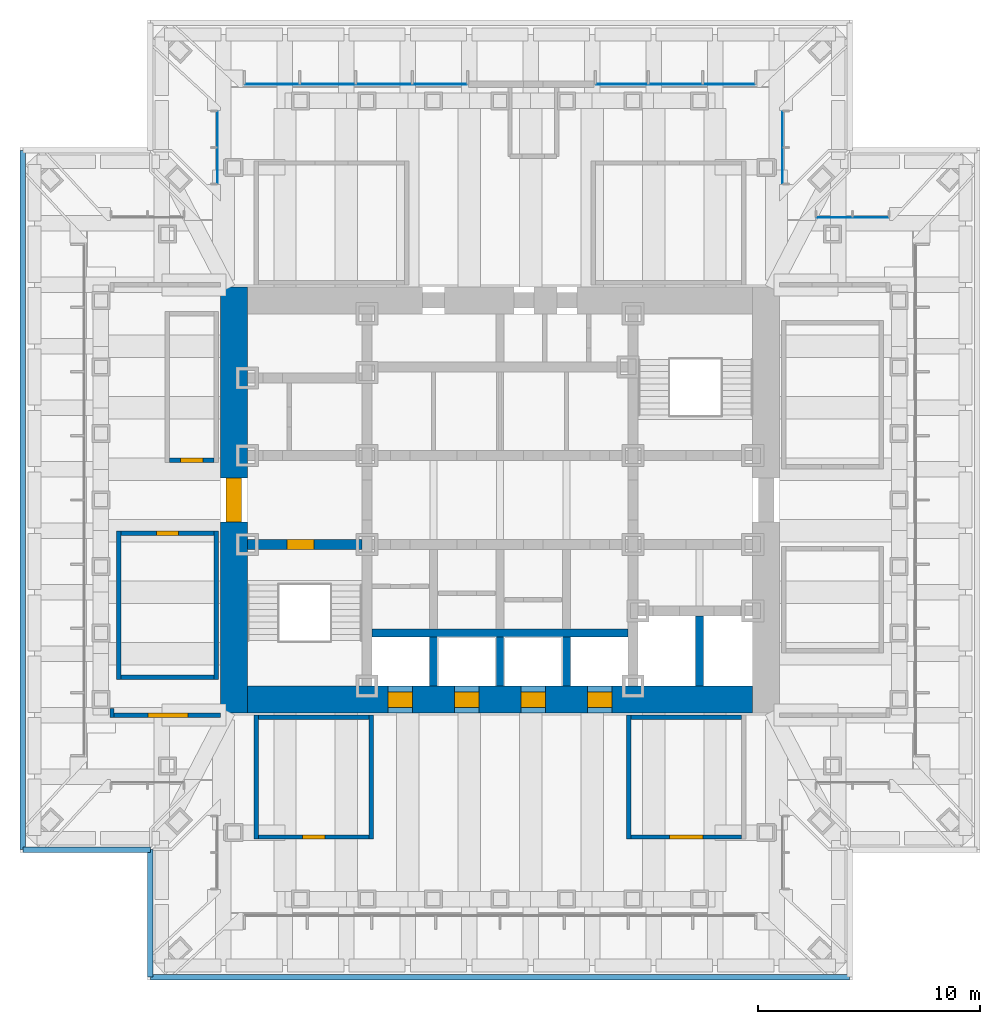
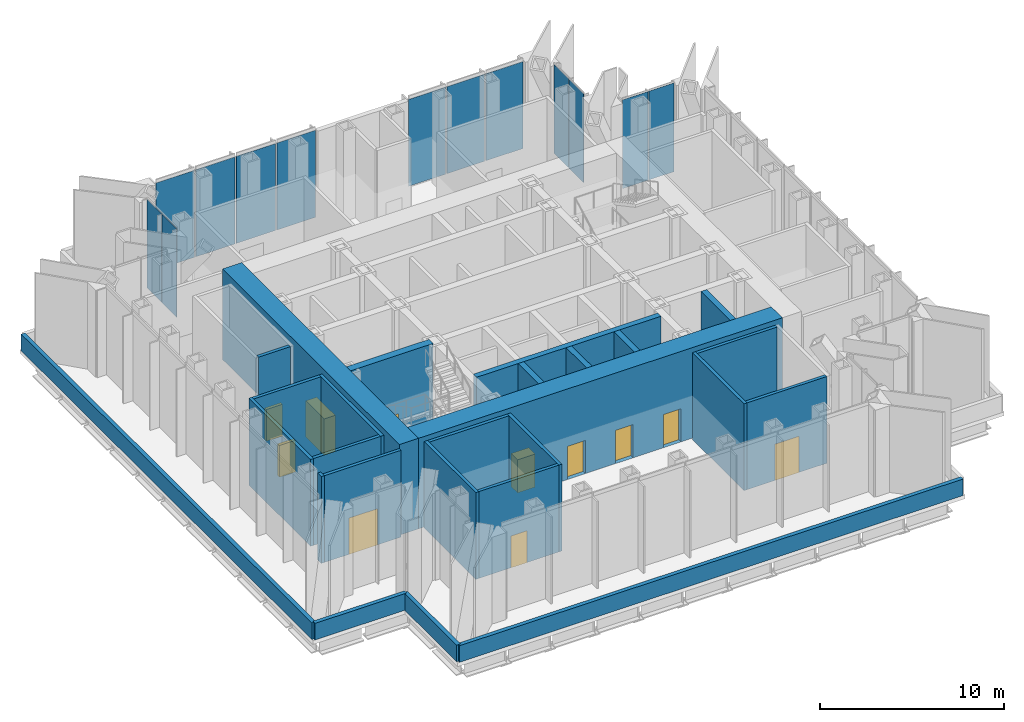
# One storey, part 8 of 13: 26 walls, 13 plates, 11 doors, 11 openings, 5 elements without a shape of their own.
"""IFC4 building model written with IfcOpenShell, lengths in metres."""

from ifc_helpers import new_model, si_unit, direction, frame, frame_2d, origin, origin_2d, place, context, subcontext, project, spatial, rectangle, extrude, material, layer, layer_set, type_object, element, fill, aggregate, save


model = new_model("IFC4")

# Units and contexts
model_context = context("Model", 3, precision=1e-05, world=origin(), true_north=direction((0.0, 1.0)))
body_context = subcontext(model_context, "Body", "Model", "MODEL_VIEW")
ifc_project = project(units=[si_unit("LENGTHUNIT", "METRE"), si_unit("AREAUNIT", "SQUARE_METRE"), si_unit("VOLUMEUNIT", "CUBIC_METRE"), si_unit("PLANEANGLEUNIT", "RADIAN"), si_unit("MASSUNIT", "GRAM", prefix="KILO")], contexts=[model_context])

# Site, building, storey
site_placement = place(None, origin())
site = spatial("IfcSite", under=ifc_project, at=site_placement, CompositionType="ELEMENT")
building_placement = place(site_placement, origin())
building = spatial("IfcBuilding", under=site, at=building_placement, Name="Daluyong Arena Tower", CompositionType="ELEMENT")
storey_placement = place(building_placement, frame((0.0, 0.0, 279.699951171875)))
storey = spatial("IfcBuildingStorey", under=building, at=storey_placement, Name="L63", CompositionType="ELEMENT", Elevation=279.699951171875)

# Curtain wall, plates
ifc_material_1 = material(Name="Bronze anodised aluminium and glass", Category="aluminium")
curtain_wall_type_1 = type_object("IfcCurtainWallType", Name="Curtain wall CW5", PredefinedType="USERDEFINED", material=ifc_material_1)
curtain_wall_1_placement = place(storey_placement, origin())
curtain_wall_1 = element("IfcCurtainWall", 1, at=curtain_wall_1_placement, inside=storey, type_object=curtain_wall_type_1, Name="curtain wall L63 N part 1", ObjectType="UNITISED CURTAIN WALL", PredefinedType="USERDEFINED")
ifc_material_2 = material(Name="Clear laminated double glazed unit", Category="glass")
ifc_layer_1 = layer(ifc_material_2, 0.0400390625)
ifc_layer_set_1 = layer_set([ifc_layer_1], Name="Clear laminated double glazed unit")
plate_type_1 = type_object("IfcPlateType", Name="CW5 panel 40", PredefinedType="CURTAIN_PANEL", material=ifc_layer_set_1)
plate_1_placement = place(storey_placement, frame((66.34033203125, 98.75, 0.0), z_axis=(0.0, 0.0, 1.0), x_axis=(-1.0, 0.0, 0.0)))
plate_1 = element("IfcPlate", 2, at=plate_1_placement, type_object=plate_type_1, Name="curtain wall L63 N part 1 panel 1", PredefinedType="CURTAIN_PANEL", context=body_context, shape_type="SweptSolid", body=[
    extrude(rectangle(XDim=2.31005859375, YDim=0.0400390625, at=origin_2d()), origin(), (0.0, 0.0, 1.0), 5.760009765625),
])
plate_2_placement = place(storey_placement, frame((63.917724609375, 98.75, 0.0), z_axis=(0.0, 0.0, 1.0), x_axis=(-1.0, 0.0, 0.0)))
plate_2 = element("IfcPlate", 3, at=plate_2_placement, type_object=plate_type_1, Name="curtain wall L63 N part 1 panel 2", PredefinedType="CURTAIN_PANEL", context=body_context, shape_type="SweptSolid", body=[
    extrude(rectangle(XDim=2.355224609375, YDim=0.0400390625, at=origin_2d()), origin(), (0.0, 0.0, 1.0), 5.760009765625),
])
plate_3_placement = place(storey_placement, frame((61.4951171875, 98.75, 0.0), z_axis=(0.0, 0.0, 1.0), x_axis=(-1.0, 0.0, 0.0)))
plate_3 = element("IfcPlate", 4, at=plate_3_placement, type_object=plate_type_1, Name="curtain wall L63 N part 1 panel 3", PredefinedType="CURTAIN_PANEL", context=body_context, shape_type="SweptSolid", body=[
    extrude(rectangle(XDim=2.31005859375, YDim=0.0400390625, at=origin_2d()), origin(), (0.0, 0.0, 1.0), 5.760009765625),
])
aggregate(curtain_wall_1, [plate_1, plate_2, plate_3])

curtain_wall_2_placement = place(storey_placement, origin())
curtain_wall_2 = element("IfcCurtainWall", 5, at=curtain_wall_2_placement, inside=storey, type_object=curtain_wall_type_1, Name="curtain wall L63 N part 2", ObjectType="UNITISED CURTAIN WALL", PredefinedType="USERDEFINED")
plate_4_placement = place(storey_placement, frame((53.289794921875, 98.75, 0.0), z_axis=(0.0, 0.0, 1.0), x_axis=(-1.0, 0.0, 0.0)))
plate_4 = element("IfcPlate", 6, at=plate_4_placement, type_object=plate_type_1, Name="curtain wall L63 N part 2 panel 1", PredefinedType="CURTAIN_PANEL", context=body_context, shape_type="SweptSolid", body=[
    extrude(rectangle(XDim=2.4072265625, YDim=0.0400390625, at=origin_2d()), origin(), (0.0, 0.0, 1.0), 5.760009765625),
])
plate_5_placement = place(storey_placement, frame((50.77001953125, 98.75, 0.0), z_axis=(0.0, 0.0, 1.0), x_axis=(-1.0, 0.0, 0.0)))
plate_5 = element("IfcPlate", 7, at=plate_5_placement, type_object=plate_type_1, Name="curtain wall L63 N part 2 panel 2", PredefinedType="CURTAIN_PANEL", context=body_context, shape_type="SweptSolid", body=[
    extrude(rectangle(XDim=2.4521484375, YDim=0.0400390625, at=origin_2d()), origin(), (0.0, 0.0, 1.0), 5.760009765625),
])
plate_6_placement = place(storey_placement, frame((48.227783203125, 98.75, 0.0), z_axis=(0.0, 0.0, 1.0), x_axis=(-1.0, 0.0, 0.0)))
plate_6 = element("IfcPlate", 8, at=plate_6_placement, type_object=plate_type_1, Name="curtain wall L63 N part 2 panel 3", PredefinedType="CURTAIN_PANEL", context=body_context, shape_type="SweptSolid", body=[
    extrude(rectangle(XDim=2.4521484375, YDim=0.0400390625, at=origin_2d()), origin(), (0.0, 0.0, 1.0), 5.760009765625),
])
plate_7_placement = place(storey_placement, frame((45.7080078125, 98.75, 0.0), z_axis=(0.0, 0.0, 1.0), x_axis=(-1.0, 0.0, 0.0)))
plate_7 = element("IfcPlate", 9, at=plate_7_placement, type_object=plate_type_1, Name="curtain wall L63 N part 2 panel 4", PredefinedType="CURTAIN_PANEL", context=body_context, shape_type="SweptSolid", body=[
    extrude(rectangle(XDim=2.4072265625, YDim=0.0400390625, at=origin_2d()), origin(), (0.0, 0.0, 1.0), 5.760009765625),
])
aggregate(curtain_wall_2, [plate_4, plate_5, plate_6, plate_7])

ifc_material_3 = material(Name="Bronze anodised aluminium and glass", Category="aluminium")
curtain_wall_type_2 = type_object("IfcCurtainWallType", Name="Curtain wall CW7", PredefinedType="USERDEFINED", material=ifc_material_3)
curtain_wall_3_placement = place(storey_placement, origin())
curtain_wall_3 = element("IfcCurtainWall", 10, at=curtain_wall_3_placement, inside=storey, type_object=curtain_wall_type_2, Name="curtain wall L63 NE-N", ObjectType="UNITISED CURTAIN WALL", PredefinedType="USERDEFINED")
ifc_material_4 = material(Name="Tinted double glazed unit", Category="glass")
ifc_layer_2 = layer(ifc_material_4, 0.028076171875)
ifc_layer_set_2 = layer_set([ifc_layer_2], Name="Tinted double glazed unit")
plate_type_2 = type_object("IfcPlateType", Name="CW7 panel 28", PredefinedType="CURTAIN_PANEL", material=ifc_layer_set_2)
plate_8_placement = place(storey_placement, frame((72.718505859375, 92.75, 0.0), z_axis=(0.0, 0.0, 1.0), x_axis=(-1.0, 0.0, 0.0)))
plate_8 = element("IfcPlate", 11, at=plate_8_placement, type_object=plate_type_2, Name="curtain wall L63 NE-N panel 1", PredefinedType="CURTAIN_PANEL", context=body_context, shape_type="SweptSolid", body=[
    extrude(rectangle(XDim=1.584228515625, YDim=0.028076171875, at=origin_2d()), origin(), (0.0, 0.0, 1.0), 5.8798828125),
])
plate_9_placement = place(storey_placement, frame((71.07421875, 92.75, 0.0), z_axis=(0.0, 0.0, 1.0), x_axis=(-1.0, 0.0, 0.0)))
plate_9 = element("IfcPlate", 12, at=plate_9_placement, type_object=plate_type_2, Name="curtain wall L63 NE-N panel 2", PredefinedType="CURTAIN_PANEL", context=body_context, shape_type="SweptSolid", body=[
    extrude(rectangle(XDim=1.584228515625, YDim=0.028076171875, at=origin_2d()), origin(), (0.0, 0.0, 1.0), 5.8798828125),
])
aggregate(curtain_wall_3, [plate_8, plate_9])

curtain_wall_4_placement = place(storey_placement, origin())
curtain_wall_4 = element("IfcCurtainWall", 13, at=curtain_wall_4_placement, inside=storey, type_object=curtain_wall_type_2, Name="curtain wall L63 NE-E", ObjectType="UNITISED CURTAIN WALL", PredefinedType="USERDEFINED")
plate_10_placement = place(storey_placement, frame((68.75, 95.07421875, 0.0), z_axis=(0.0, 0.0, 1.0), x_axis=(0.0, 1.0, 0.0)))
plate_10 = element("IfcPlate", 14, at=plate_10_placement, type_object=plate_type_2, Name="curtain wall L63 NE-E panel 1", PredefinedType="CURTAIN_PANEL", context=body_context, shape_type="SweptSolid", body=[
    extrude(rectangle(XDim=1.584228515625, YDim=0.028076171875, at=origin_2d()), origin(), (0.0, 0.0, 1.0), 5.8798828125),
])
plate_11_placement = place(storey_placement, frame((68.75, 96.718505859375, 0.0), z_axis=(0.0, 0.0, 1.0), x_axis=(0.0, 1.0, 0.0)))
plate_11 = element("IfcPlate", 15, at=plate_11_placement, type_object=plate_type_2, Name="curtain wall L63 NE-E panel 2", PredefinedType="CURTAIN_PANEL", context=body_context, shape_type="SweptSolid", body=[
    extrude(rectangle(XDim=1.584228515625, YDim=0.028076171875, at=origin_2d()), origin(), (0.0, 0.0, 1.0), 5.8798828125),
])
aggregate(curtain_wall_4, [plate_10, plate_11])

curtain_wall_5_placement = place(storey_placement, origin())
curtain_wall_5 = element("IfcCurtainWall", 16, at=curtain_wall_5_placement, inside=storey, type_object=curtain_wall_type_2, Name="curtain wall L63 NW-W", ObjectType="UNITISED CURTAIN WALL", PredefinedType="USERDEFINED")
plate_12_placement = place(storey_placement, frame((43.25, 96.718505859375, 0.0), z_axis=(0.0, 0.0, 1.0), x_axis=(0.0, -1.0, 0.0)))
plate_12 = element("IfcPlate", 17, at=plate_12_placement, type_object=plate_type_2, Name="curtain wall L63 NW-W panel 1", PredefinedType="CURTAIN_PANEL", context=body_context, shape_type="SweptSolid", body=[
    extrude(rectangle(XDim=1.584228515625, YDim=0.028076171875, at=origin_2d()), origin(), (0.0, 0.0, 1.0), 5.8798828125),
])
plate_13_placement = place(storey_placement, frame((43.25, 95.07421875, 0.0), z_axis=(0.0, 0.0, 1.0), x_axis=(0.0, -1.0, 0.0)))
plate_13 = element("IfcPlate", 18, at=plate_13_placement, type_object=plate_type_2, Name="curtain wall L63 NW-W panel 2", PredefinedType="CURTAIN_PANEL", context=body_context, shape_type="SweptSolid", body=[
    extrude(rectangle(XDim=1.584228515625, YDim=0.028076171875, at=origin_2d()), origin(), (0.0, 0.0, 1.0), 5.8798828125),
])
aggregate(curtain_wall_5, [plate_12, plate_13])

# Wall, opening, door
ifc_material_5 = material(Name="Concrete fc' 45 MPa", Category="concrete")
ifc_layer_3 = layer(ifc_material_5, 0.449951171875)
ifc_layer_set_3 = layer_set([ifc_layer_3], Name="Concrete fc' 45 MPa")
wall_type_1 = type_object("IfcWallType", Name="Core inner wall 450", PredefinedType="SHEAR", material=ifc_layer_set_3)
wall_1_placement = place(storey_placement, frame((44.60009765625, 78.0, 0.0), z_axis=(0.0, 0.0, 1.0), x_axis=(1.0, 0.0, 0.0)))
wall_1 = element("IfcWall", 19, at=wall_1_placement, inside=storey, type_object=wall_type_1, Name="core inner wall at L63", PredefinedType="SHEAR", context=body_context, shape_type="SweptSolid", body=[
    extrude(rectangle(XDim=5.1748046875, YDim=0.449951171875, at=frame_2d((2.58740234375, 0.0))), origin(), (0.0, 0.0, 1.0), 6.0),
])
opening_1_placement = place(wall_1_placement, frame((1.800048828125, 0.0, 0.0)))
opening_1 = element("IfcOpeningElement", 20, at=opening_1_placement, cuts=wall_1, Name="Opening 63019", PredefinedType="OPENING", context=body_context, shape_type="SweptSolid", body=[
    extrude(rectangle(XDim=1.199951171875, YDim=2.10009765625, at=frame_2d((0.60009765625, 1.050048828125))), frame((0.0, 0.23486328125, 0.0), z_axis=(0.0, -1.0, 0.0), x_axis=(1.0, 0.0, 0.0)), (0.0, 0.0, 1.0), 0.469970703125),
])
ifc_material_6 = material(Name="Steel door, fire rated", Category="steel")
door_type_1 = type_object("IfcDoorType", Name="Stair door 1200", OperationType="SINGLE_SWING_LEFT", PredefinedType="DOOR", material=ifc_material_6)
door_1_placement = place(opening_1_placement, origin())
door_1 = element("IfcDoor", 21, at=door_1_placement, inside=storey, type_object=door_type_1, Name="stair A door 63019", OperationType="SINGLE_SWING_LEFT", OverallHeight=2.10009765625, OverallWidth=1.199951171875, PredefinedType="DOOR", context=body_context, shape_type="SweptSolid", body=[
    extrude(rectangle(XDim=1.199951171875, YDim=2.10009765625, at=frame_2d((0.60009765625, 1.050048828125))), frame((0.0, 0.224609375, 0.0), z_axis=(0.0, -1.0, 0.0), x_axis=(1.0, 0.0, 0.0)), (0.0, 0.0, 1.0), 0.449462890625),
])
fill(opening_1, door_1)

ifc_material_7 = material(Name="Concrete fc' 60 MPa", Category="concrete")
ifc_layer_4 = layer(ifc_material_7, 1.199951171875)
ifc_layer_set_4 = layer_set([ifc_layer_4], Name="Concrete fc' 60 MPa")
wall_type_2 = type_object("IfcWallType", Name="Core wall 1200", PredefinedType="SHEAR", material=ifc_layer_set_4)
wall_2_placement = place(storey_placement, frame((44.0, 70.39990234375, 0.0), z_axis=(0.0, 0.0, 1.0), x_axis=(0.0, 1.0, 0.0)))
wall_2 = element("IfcWall", 22, at=wall_2_placement, inside=storey, type_object=wall_type_2, Name="core wall at L63", PredefinedType="SHEAR", context=body_context, shape_type="SweptSolid", body=[
    extrude(rectangle(XDim=19.2001953125, YDim=1.199951171875, at=frame_2d((9.60009765625, 0.0))), origin(), (0.0, 0.0, 1.0), 6.0),
])
opening_2_placement = place(wall_2_placement, frame((8.60009765625, 0.0, 0.0)))
opening_2 = element("IfcOpeningElement", 23, at=opening_2_placement, cuts=wall_2, Name="Opening 63021", PredefinedType="OPENING", context=body_context, shape_type="SweptSolid", body=[
    extrude(rectangle(XDim=2.0, YDim=2.39990234375, at=frame_2d((1.0, 1.199951171875))), frame((0.0, 0.60986328125, 0.0), z_axis=(0.0, -1.0, 0.0), x_axis=(1.0, 0.0, 0.0)), (0.0, 0.0, 1.0), 1.219970703125),
])
ifc_material_8 = material(Name="Steel door, fire rated", Category="steel")
door_type_2 = type_object("IfcDoorType", Name="Core lobby double door 2000", OperationType="DOUBLE_DOOR_SINGLE_SWING", PredefinedType="DOOR", material=ifc_material_8)
door_2_placement = place(opening_2_placement, origin())
door_2 = element("IfcDoor", 24, at=door_2_placement, inside=storey, type_object=door_type_2, Name="core lobby door west 63021", OperationType="DOUBLE_DOOR_SINGLE_SWING", OverallHeight=2.39990234375, OverallWidth=2.0, PredefinedType="DOOR", context=body_context, shape_type="SweptSolid", body=[
    extrude(rectangle(XDim=2.0, YDim=2.39990234375, at=frame_2d((1.0, 1.199951171875))), frame((0.0, 0.35009765625, 0.0), z_axis=(0.0, -1.0, 0.0), x_axis=(1.0, 0.0, 0.0)), (0.0, 0.0, 1.0), 0.699951171875),
])
fill(opening_2, door_2)

# Wall, openings, doors
wall_3_placement = place(storey_placement, frame((44.60009765625, 71.0, 0.0), z_axis=(0.0, 0.0, 1.0), x_axis=(1.0, 0.0, 0.0)))
wall_3 = element("IfcWall", 25, at=wall_3_placement, inside=storey, type_object=wall_type_2, Name="core wall at L63", PredefinedType="SHEAR", context=body_context, shape_type="SweptSolid", body=[
    extrude(rectangle(XDim=22.7998046875, YDim=1.199951171875, at=frame_2d((11.39990234375, 0.0))), origin(), (0.0, 0.0, 1.0), 6.0),
])
opening_3_placement = place(wall_3_placement, frame((6.35009765625, 0.0, 0.0)))
opening_3 = element("IfcOpeningElement", 26, at=opening_3_placement, cuts=wall_3, Name="Opening 63026", PredefinedType="OPENING", context=body_context, shape_type="SweptSolid", body=[
    extrude(rectangle(XDim=1.10009765625, YDim=2.199951171875, at=frame_2d((0.550048828125, 1.10009765625))), frame((0.0, 0.60986328125, 0.0), z_axis=(0.0, -1.0, 0.0), x_axis=(1.0, 0.0, 0.0)), (0.0, 0.0, 1.0), 1.219970703125),
])
opening_4_placement = place(wall_3_placement, frame((9.35009765625, 0.0, 0.0)))
opening_4 = element("IfcOpeningElement", 27, at=opening_4_placement, cuts=wall_3, Name="Opening 63027", PredefinedType="OPENING", context=body_context, shape_type="SweptSolid", body=[
    extrude(rectangle(XDim=1.10009765625, YDim=2.199951171875, at=frame_2d((0.550048828125, 1.10009765625))), frame((0.0, 0.60986328125, 0.0), z_axis=(0.0, -1.0, 0.0), x_axis=(1.0, 0.0, 0.0)), (0.0, 0.0, 1.0), 1.219970703125),
])
opening_5_placement = place(wall_3_placement, frame((12.35009765625, 0.0, 0.0)))
opening_5 = element("IfcOpeningElement", 28, at=opening_5_placement, cuts=wall_3, Name="Opening 63028", PredefinedType="OPENING", context=body_context, shape_type="SweptSolid", body=[
    extrude(rectangle(XDim=1.10009765625, YDim=2.199951171875, at=frame_2d((0.550048828125, 1.10009765625))), frame((0.0, 0.60986328125, 0.0), z_axis=(0.0, -1.0, 0.0), x_axis=(1.0, 0.0, 0.0)), (0.0, 0.0, 1.0), 1.219970703125),
])
opening_6_placement = place(wall_3_placement, frame((15.35009765625, 0.0, 0.0)))
opening_6 = element("IfcOpeningElement", 29, at=opening_6_placement, cuts=wall_3, Name="Opening 63029", PredefinedType="OPENING", context=body_context, shape_type="SweptSolid", body=[
    extrude(rectangle(XDim=1.10009765625, YDim=2.199951171875, at=frame_2d((0.550048828125, 1.10009765625))), frame((0.0, 0.60986328125, 0.0), z_axis=(0.0, -1.0, 0.0), x_axis=(1.0, 0.0, 0.0)), (0.0, 0.0, 1.0), 1.219970703125),
])
ifc_material_9 = material(Name="Steel door, fire rated", Category="steel")
door_type_3 = type_object("IfcDoorType", Name="Lift landing door 1100", OperationType="SLIDING_TO_LEFT", PredefinedType="DOOR", material=ifc_material_9)
door_3_placement = place(opening_3_placement, origin())
door_3 = element("IfcDoor", 30, at=door_3_placement, inside=storey, type_object=door_type_3, Name="lift landing door C1 63026", OperationType="SLIDING_TO_LEFT", OverallHeight=2.199951171875, OverallWidth=1.10009765625, PredefinedType="DOOR", context=body_context, shape_type="SweptSolid", body=[
    extrude(rectangle(XDim=1.10009765625, YDim=2.199951171875, at=frame_2d((0.550048828125, 1.10009765625))), frame((0.0, 0.35009765625, 0.0), z_axis=(0.0, -1.0, 0.0), x_axis=(1.0, 0.0, 0.0)), (0.0, 0.0, 1.0), 0.699951171875),
])
fill(opening_3, door_3)
door_4_placement = place(opening_4_placement, origin())
door_4 = element("IfcDoor", 31, at=door_4_placement, inside=storey, type_object=door_type_3, Name="lift landing door C2 63027", OperationType="SLIDING_TO_LEFT", OverallHeight=2.199951171875, OverallWidth=1.10009765625, PredefinedType="DOOR", context=body_context, shape_type="SweptSolid", body=[
    extrude(rectangle(XDim=1.10009765625, YDim=2.199951171875, at=frame_2d((0.550048828125, 1.10009765625))), frame((0.0, 0.35009765625, 0.0), z_axis=(0.0, -1.0, 0.0), x_axis=(1.0, 0.0, 0.0)), (0.0, 0.0, 1.0), 0.699951171875),
])
fill(opening_4, door_4)
door_5_placement = place(opening_5_placement, origin())
door_5 = element("IfcDoor", 32, at=door_5_placement, inside=storey, type_object=door_type_3, Name="lift landing door C3 63028", OperationType="SLIDING_TO_LEFT", OverallHeight=2.199951171875, OverallWidth=1.10009765625, PredefinedType="DOOR", context=body_context, shape_type="SweptSolid", body=[
    extrude(rectangle(XDim=1.10009765625, YDim=2.199951171875, at=frame_2d((0.550048828125, 1.10009765625))), frame((0.0, 0.35009765625, 0.0), z_axis=(0.0, -1.0, 0.0), x_axis=(1.0, 0.0, 0.0)), (0.0, 0.0, 1.0), 0.699951171875),
])
fill(opening_5, door_5)
door_6_placement = place(opening_6_placement, origin())
door_6 = element("IfcDoor", 33, at=door_6_placement, inside=storey, type_object=door_type_3, Name="lift landing door C4 63029", OperationType="SLIDING_TO_LEFT", OverallHeight=2.199951171875, OverallWidth=1.10009765625, PredefinedType="DOOR", context=body_context, shape_type="SweptSolid", body=[
    extrude(rectangle(XDim=1.10009765625, YDim=2.199951171875, at=frame_2d((0.550048828125, 1.10009765625))), frame((0.0, 0.35009765625, 0.0), z_axis=(0.0, -1.0, 0.0), x_axis=(1.0, 0.0, 0.0)), (0.0, 0.0, 1.0), 0.699951171875),
])
fill(opening_6, door_6)

# Wall
ifc_material_10 = material(Name="Concrete block partition, fire rated", Category="concrete")
ifc_layer_5 = layer(ifc_material_10, 0.199951171875)
ifc_layer_set_5 = layer_set([ifc_layer_5], Name="Concrete block partition, fire rated")
wall_type_3 = type_object("IfcWallType", Name="Fire-rated partition 200", PredefinedType="PARTITIONING", material=ifc_layer_set_5)
wall_4_placement = place(storey_placement, frame((61.800048828125, 64.699951171875, 0.0), z_axis=(0.0, 0.0, 1.0), x_axis=(0.0, 1.0, 0.0)))
element("IfcWall", 34, at=wall_4_placement, inside=storey, type_object=wall_type_3, Name="plant room partition at L63", PredefinedType="PARTITIONING", context=body_context, shape_type="SweptSolid", body=[
    extrude(rectangle(XDim=5.60009765625, YDim=0.199951171875, at=frame_2d((2.800048828125, 0.0))), origin(), (0.0, 0.0, 1.0), 5.75),
])

# Wall, opening, door
wall_5_placement = place(storey_placement, frame((61.89990234375, 64.800048828125, 0.0), z_axis=(0.0, 0.0, 1.0), x_axis=(1.0, 0.0, 0.0)))
wall_5 = element("IfcWall", 35, at=wall_5_placement, inside=storey, type_object=wall_type_3, Name="plant room partition at L63", PredefinedType="PARTITIONING", context=body_context, shape_type="SweptSolid", body=[
    extrude(rectangle(XDim=5.0, YDim=0.199951171875, at=frame_2d((2.5, 0.0))), origin(), (0.0, 0.0, 1.0), 5.75),
])
opening_7_placement = place(wall_5_placement, frame((1.75, 0.0, 0.0)))
opening_7 = element("IfcOpeningElement", 36, at=opening_7_placement, cuts=wall_5, Name="Opening 63037", PredefinedType="OPENING", context=body_context, shape_type="SweptSolid", body=[
    extrude(rectangle(XDim=1.5, YDim=2.39990234375, at=frame_2d((0.75, 1.199951171875))), frame((0.0, 0.10986328125, 0.0), z_axis=(0.0, -1.0, 0.0), x_axis=(1.0, 0.0, 0.0)), (0.0, 0.0, 1.0), 0.219970703125),
])
ifc_material_11 = material(Name="Steel door, fire rated", Category="steel")
door_type_4 = type_object("IfcDoorType", Name="Plant room door 1500", OperationType="DOUBLE_DOOR_SINGLE_SWING", PredefinedType="DOOR", material=ifc_material_11)
door_7_placement = place(opening_7_placement, origin())
door_7 = element("IfcDoor", 37, at=door_7_placement, inside=storey, type_object=door_type_4, Name="plant room door 63037", OperationType="DOUBLE_DOOR_SINGLE_SWING", OverallHeight=2.39990234375, OverallWidth=1.5, PredefinedType="DOOR", context=body_context, shape_type="SweptSolid", body=[
    extrude(rectangle(XDim=1.5, YDim=2.39990234375, at=frame_2d((0.75, 1.199951171875))), frame((0.0, 0.099609375, 0.0), z_axis=(0.0, -1.0, 0.0), x_axis=(1.0, 0.0, 0.0)), (0.0, 0.0, 1.0), 0.199462890625),
])
fill(opening_7, door_7)

# Walls
wall_6_placement = place(storey_placement, frame((61.89990234375, 70.199951171875, 0.0), z_axis=(0.0, 0.0, 1.0), x_axis=(1.0, 0.0, 0.0)))
element("IfcWall", 38, at=wall_6_placement, inside=storey, type_object=wall_type_3, Name="plant room partition at L63", PredefinedType="PARTITIONING", context=body_context, shape_type="SweptSolid", body=[
    extrude(rectangle(XDim=5.0, YDim=0.199951171875, at=frame_2d((2.5, 0.0))), origin(), (0.0, 0.0, 1.0), 5.75),
])
ifc_material_12 = material(Name="Concrete fc' 45 MPa", Category="concrete")
ifc_layer_6 = layer(ifc_material_12, 0.35009765625)
ifc_layer_set_6 = layer_set([ifc_layer_6], Name="Concrete fc' 45 MPa")
wall_type_4 = type_object("IfcWallType", Name="Lift shaft wall 350", PredefinedType="SHEAR", material=ifc_layer_set_6)
wall_7_placement = place(storey_placement, frame((50.22509765625, 74.0, 0.0), z_axis=(0.0, 0.0, 1.0), x_axis=(1.0, 0.0, 0.0)))
element("IfcWall", 39, at=wall_7_placement, inside=storey, type_object=wall_type_4, Name="lift shaft wall at L63", PredefinedType="SHEAR", context=body_context, shape_type="SweptSolid", body=[
    extrude(rectangle(XDim=11.5498046875, YDim=0.35009765625, at=frame_2d((5.77490234375, 0.0))), origin(), (0.0, 0.0, 1.0), 6.0),
])
for number, where, z_axis, x_axis, name in (
    (40, (53.0, 71.60009765625, 0.0), (0.0, 0.0, 1.0), (0.0, 1.0, 0.0), "lift shaft wall at L63"),
    (41, (56.0, 71.60009765625, 0.0), (0.0, 0.0, 1.0), (0.0, 1.0, 0.0), "lift shaft wall at L63"),
    (42, (59.0, 71.60009765625, 0.0), (0.0, 0.0, 1.0), (0.0, 1.0, 0.0), "lift shaft wall at L63"),
):
    element("IfcWall", number, at=place(storey_placement, frame(where, z_axis=z_axis, x_axis=x_axis)), inside=storey, type_object=wall_type_4, Name=name, PredefinedType="SHEAR", context=body_context, shape_type="SweptSolid", body=[
        extrude(rectangle(XDim=2.224853515625, YDim=0.35009765625, at=frame_2d((1.1123046875, 0.0))), origin(), (0.0, 0.0, 1.0), 6.0),
    ])
wall_8_placement = place(storey_placement, frame((65.0, 71.60009765625, 0.0), z_axis=(0.0, 0.0, 1.0), x_axis=(0.0, 1.0, 0.0)))
element("IfcWall", 43, at=wall_8_placement, inside=storey, type_object=wall_type_4, Name="lift shaft wall at L63", PredefinedType="SHEAR", context=body_context, shape_type="SweptSolid", body=[
    extrude(rectangle(XDim=3.1748046875, YDim=0.35009765625, at=frame_2d((1.58740234375, 0.0))), origin(), (0.0, 0.0, 1.0), 6.0),
])
ifc_material_13 = material(Name="Concrete block partition", Category="concrete")
ifc_layer_7 = layer(ifc_material_13, 0.199951171875)
ifc_layer_set_7 = layer_set([ifc_layer_7], Name="Concrete block partition")
wall_type_5 = type_object("IfcWallType", Name="Partition 200", PredefinedType="PARTITIONING", material=ifc_layer_set_7)
for number, where, z_axis, x_axis, name in (
    (44, (38.800048828125, 71.89990234375, 0.0), (0.0, 0.0, 1.0), (0.0, 1.0, 0.0), "deck store partition at L63"),
    (45, (43.199951171875, 71.89990234375, 0.0), (0.0, 0.0, 1.0), (0.0, 1.0, 0.0), "deck store partition at L63"),
):
    element("IfcWall", number, at=place(storey_placement, frame(where, z_axis=z_axis, x_axis=x_axis)), inside=storey, type_object=wall_type_5, Name=name, PredefinedType="PARTITIONING", context=body_context, shape_type="SweptSolid", body=[
        extrude(rectangle(XDim=6.7001953125, YDim=0.199951171875, at=frame_2d((3.35009765625, 0.0))), origin(), (0.0, 0.0, 1.0), 5.75),
    ])
wall_9_placement = place(storey_placement, frame((38.89990234375, 72.0, 0.0), z_axis=(0.0, 0.0, 1.0), x_axis=(1.0, 0.0, 0.0)))
element("IfcWall", 46, at=wall_9_placement, inside=storey, type_object=wall_type_5, Name="deck store partition at L63", PredefinedType="PARTITIONING", context=body_context, shape_type="SweptSolid", body=[
    extrude(rectangle(XDim=4.2001953125, YDim=0.199951171875, at=frame_2d((2.10009765625, 0.0))), origin(), (0.0, 0.0, 1.0), 5.75),
])

# Wall, opening, door
wall_10_placement = place(storey_placement, frame((38.89990234375, 78.5, 0.0), z_axis=(0.0, 0.0, 1.0), x_axis=(1.0, 0.0, 0.0)))
wall_10 = element("IfcWall", 47, at=wall_10_placement, inside=storey, type_object=wall_type_5, Name="deck store partition at L63", PredefinedType="PARTITIONING", context=body_context, shape_type="SweptSolid", body=[
    extrude(rectangle(XDim=4.2001953125, YDim=0.199951171875, at=frame_2d((2.10009765625, 0.0))), origin(), (0.0, 0.0, 1.0), 5.75),
])
opening_8_placement = place(wall_10_placement, frame((1.60009765625, 0.0, 0.0)))
opening_8 = element("IfcOpeningElement", 48, at=opening_8_placement, cuts=wall_10, Name="Opening 63032", PredefinedType="OPENING", context=body_context, shape_type="SweptSolid", body=[
    extrude(rectangle(XDim=1.0, YDim=2.10009765625, at=frame_2d((0.5, 1.050048828125))), frame((0.0, 0.10986328125, 0.0), z_axis=(0.0, -1.0, 0.0), x_axis=(1.0, 0.0, 0.0)), (0.0, 0.0, 1.0), 0.219970703125),
])
ifc_material_14 = material(Name="Timber door", Category="wood")
door_type_5 = type_object("IfcDoorType", Name="Room door 1000", OperationType="SINGLE_SWING_LEFT", PredefinedType="DOOR", material=ifc_material_14)
door_8_placement = place(opening_8_placement, origin())
door_8 = element("IfcDoor", 49, at=door_8_placement, inside=storey, type_object=door_type_5, Name="deck store door 63032", OperationType="SINGLE_SWING_LEFT", OverallHeight=2.10009765625, OverallWidth=1.0, PredefinedType="DOOR", context=body_context, shape_type="SweptSolid", body=[
    extrude(rectangle(XDim=1.0, YDim=2.10009765625, at=frame_2d((0.5, 1.050048828125))), frame((0.0, 0.099609375, 0.0), z_axis=(0.0, -1.0, 0.0), x_axis=(1.0, 0.0, 0.0)), (0.0, 0.0, 1.0), 0.199462890625),
])
fill(opening_8, door_8)

wall_11_placement = place(storey_placement, frame((41.10009765625, 81.800048828125, 0.0), z_axis=(0.0, 0.0, 1.0), x_axis=(1.0, 0.0, 0.0)))
wall_11 = element("IfcWall", 50, at=wall_11_placement, inside=storey, type_object=wall_type_5, Name="deck store partition at L63", PredefinedType="PARTITIONING", context=body_context, shape_type="SweptSolid", body=[
    extrude(rectangle(XDim=2.0, YDim=0.199951171875, at=frame_2d((1.0, 0.0))), origin(), (0.0, 0.0, 1.0), 5.75),
])
opening_9_placement = place(wall_11_placement, frame((0.5, 0.0, 0.0)))
opening_9 = element("IfcOpeningElement", 51, at=opening_9_placement, cuts=wall_11, Name="Opening 63034", PredefinedType="OPENING", context=body_context, shape_type="SweptSolid", body=[
    extrude(rectangle(XDim=1.0, YDim=2.10009765625, at=frame_2d((0.5, 1.050048828125))), frame((0.0, 0.10986328125, 0.0), z_axis=(0.0, -1.0, 0.0), x_axis=(1.0, 0.0, 0.0)), (0.0, 0.0, 1.0), 0.219970703125),
])
door_9_placement = place(opening_9_placement, origin())
door_9 = element("IfcDoor", 52, at=door_9_placement, inside=storey, type_object=door_type_5, Name="deck store door 63034", OperationType="SINGLE_SWING_LEFT", OverallHeight=2.10009765625, OverallWidth=1.0, PredefinedType="DOOR", context=body_context, shape_type="SweptSolid", body=[
    extrude(rectangle(XDim=1.0, YDim=2.10009765625, at=frame_2d((0.5, 1.050048828125))), frame((0.0, 0.099609375, 0.0), z_axis=(0.0, -1.0, 0.0), x_axis=(1.0, 0.0, 0.0)), (0.0, 0.0, 1.0), 0.199462890625),
])
fill(opening_9, door_9)

# Walls
for number, where, z_axis, x_axis, name in (
    (53, (45.0, 64.699951171875, 0.0), (0.0, 0.0, 1.0), (0.0, 1.0, 0.0), "deck visitor office partition at L63"),
    (54, (50.199951171875, 64.699951171875, 0.0), (0.0, 0.0, 1.0), (0.0, 1.0, 0.0), "deck visitor office partition at L63"),
):
    element("IfcWall", number, at=place(storey_placement, frame(where, z_axis=z_axis, x_axis=x_axis)), inside=storey, type_object=wall_type_5, Name=name, PredefinedType="PARTITIONING", context=body_context, shape_type="SweptSolid", body=[
        extrude(rectangle(XDim=5.60009765625, YDim=0.199951171875, at=frame_2d((2.800048828125, 0.0))), origin(), (0.0, 0.0, 1.0), 5.75),
    ])

# Wall, opening, door
wall_12_placement = place(storey_placement, frame((45.10009765625, 64.800048828125, 0.0), z_axis=(0.0, 0.0, 1.0), x_axis=(1.0, 0.0, 0.0)))
wall_12 = element("IfcWall", 55, at=wall_12_placement, inside=storey, type_object=wall_type_5, Name="deck visitor office partition at L63", PredefinedType="PARTITIONING", context=body_context, shape_type="SweptSolid", body=[
    extrude(rectangle(XDim=5.0, YDim=0.199951171875, at=frame_2d((2.5, 0.0))), origin(), (0.0, 0.0, 1.0), 5.75),
])
opening_10_placement = place(wall_12_placement, frame((2.0, 0.0, 0.0)))
opening_10 = element("IfcOpeningElement", 56, at=opening_10_placement, cuts=wall_12, Name="Opening 63039", PredefinedType="OPENING", context=body_context, shape_type="SweptSolid", body=[
    extrude(rectangle(XDim=1.0, YDim=2.10009765625, at=frame_2d((0.5, 1.050048828125))), frame((0.0, 0.10986328125, 0.0), z_axis=(0.0, -1.0, 0.0), x_axis=(1.0, 0.0, 0.0)), (0.0, 0.0, 1.0), 0.219970703125),
])
door_10_placement = place(opening_10_placement, origin())
door_10 = element("IfcDoor", 57, at=door_10_placement, inside=storey, type_object=door_type_5, Name="deck visitor office door 63039", OperationType="SINGLE_SWING_LEFT", OverallHeight=2.10009765625, OverallWidth=1.0, PredefinedType="DOOR", context=body_context, shape_type="SweptSolid", body=[
    extrude(rectangle(XDim=1.0, YDim=2.10009765625, at=frame_2d((0.5, 1.050048828125))), frame((0.0, 0.099609375, 0.0), z_axis=(0.0, -1.0, 0.0), x_axis=(1.0, 0.0, 0.0)), (0.0, 0.0, 1.0), 0.199462890625),
])
fill(opening_10, door_10)

# Wall
wall_13_placement = place(storey_placement, frame((45.10009765625, 70.199951171875, 0.0), z_axis=(0.0, 0.0, 1.0), x_axis=(1.0, 0.0, 0.0)))
element("IfcWall", 58, at=wall_13_placement, inside=storey, type_object=wall_type_5, Name="deck visitor office partition at L63", PredefinedType="PARTITIONING", context=body_context, shape_type="SweptSolid", body=[
    extrude(rectangle(XDim=5.0, YDim=0.199951171875, at=frame_2d((2.5, 0.0))), origin(), (0.0, 0.0, 1.0), 5.75),
])

# Wall, opening, door
wall_14_placement = place(storey_placement, frame((38.60009765625, 70.300048828125, 0.0), z_axis=(0.0, 0.0, 1.0), x_axis=(1.0, 0.0, 0.0)))
wall_14 = element("IfcWall", 59, at=wall_14_placement, inside=storey, type_object=wall_type_5, Name="deck partition at L63", PredefinedType="PARTITIONING", context=body_context, shape_type="SweptSolid", body=[
    extrude(rectangle(XDim=4.7998046875, YDim=0.199951171875, at=frame_2d((2.39990234375, 0.0))), origin(), (0.0, 0.0, 1.0), 5.75),
])
opening_11_placement = place(wall_14_placement, frame((1.52490234375, 0.0, 0.0)))
opening_11 = element("IfcOpeningElement", 60, at=opening_11_placement, cuts=wall_14, Name="Opening 63040", PredefinedType="OPENING", context=body_context, shape_type="SweptSolid", body=[
    extrude(rectangle(XDim=1.800048828125, YDim=2.39990234375, at=frame_2d((0.89990234375, 1.199951171875))), frame((0.0, 0.10986328125, 0.0), z_axis=(0.0, -1.0, 0.0), x_axis=(1.0, 0.0, 0.0)), (0.0, 0.0, 1.0), 0.219970703125),
])
ifc_material_15 = material(Name="Timber door", Category="wood")
door_type_6 = type_object("IfcDoorType", Name="Assembly double door 1800", OperationType="DOUBLE_DOOR_DOUBLE_SWING", PredefinedType="DOOR", material=ifc_material_15)
door_11_placement = place(opening_11_placement, origin())
door_11 = element("IfcDoor", 61, at=door_11_placement, inside=storey, type_object=door_type_6, Name="deck lounge door west 63040", OperationType="DOUBLE_DOOR_DOUBLE_SWING", OverallHeight=2.39990234375, OverallWidth=1.800048828125, PredefinedType="DOOR", context=body_context, shape_type="SweptSolid", body=[
    extrude(rectangle(XDim=1.800048828125, YDim=2.39990234375, at=frame_2d((0.89990234375, 1.199951171875))), frame((0.0, 0.099609375, 0.0), z_axis=(0.0, -1.0, 0.0), x_axis=(1.0, 0.0, 0.0)), (0.0, 0.0, 1.0), 0.199462890625),
])
fill(opening_11, door_11)

# Walls
wall_15_placement = place(storey_placement, frame((38.5, 70.199951171875, 0.0), z_axis=(0.0, 0.0, 1.0), x_axis=(0.0, 1.0, 0.0)))
element("IfcWall", 62, at=wall_15_placement, inside=storey, type_object=wall_type_5, Name="deck partition return at L63", PredefinedType="PARTITIONING", context=body_context, shape_type="SweptSolid", body=[
    extrude(rectangle(XDim=0.400146484375, YDim=0.199951171875, at=frame_2d((0.2001953125, 0.0))), origin(), (0.0, 0.0, 1.0), 5.75),
])
ifc_material_16 = material(Name="Precast concrete fc' 45 MPa", Category="concrete")
ifc_layer_8 = layer(ifc_material_16, 0.25)
ifc_layer_set_8 = layer_set([ifc_layer_8], Name="Precast concrete fc' 45 MPa")
wall_type_6 = type_object("IfcWallType", Name="Setback roof parapet 250", PredefinedType="PARAPET", material=ifc_layer_set_8)
for number, where, z_axis, x_axis, name in (
    (63, (40.22509765625, 58.47509765625, 0.0), (0.0, 0.0, 1.0), (0.0, 1.0, 0.0), "setback roof parapet L63"),
    (64, (40.22509765625, 64.22509765625, 0.0), (0.0, 0.0, 1.0), (-1.0, 0.0, 0.0), "setback roof parapet L63"),
):
    element("IfcWall", number, at=place(storey_placement, frame(where, z_axis=z_axis, x_axis=x_axis)), inside=storey, type_object=wall_type_6, Name=name, PredefinedType="PARAPET", context=body_context, shape_type="SweptSolid", body=[
        extrude(rectangle(XDim=5.75, YDim=0.25, at=frame_2d((2.875, 0.0))), origin(), (0.0, 0.0, 1.0), 1.10009765625),
    ])
for number, where, z_axis, x_axis, name in (
    (65, (34.47509765625, 64.22509765625, 0.0), (0.0, 0.0, 1.0), (0.0, 1.0, 0.0), "setback roof parapet L63"),
    (66, (71.77490234375, 58.47509765625, 0.0), (0.0, 0.0, 1.0), (-1.0, 0.0, 0.0), "setback roof parapet L63"),
):
    element("IfcWall", number, at=place(storey_placement, frame(where, z_axis=z_axis, x_axis=x_axis)), inside=storey, type_object=wall_type_6, Name=name, PredefinedType="PARAPET", context=body_context, shape_type="SweptSolid", body=[
        extrude(rectangle(XDim=31.5498046875, YDim=0.25, at=frame_2d((15.77490234375, 0.0))), origin(), (0.0, 0.0, 1.0), 1.10009765625),
    ])

save(model, "model.ifc")
